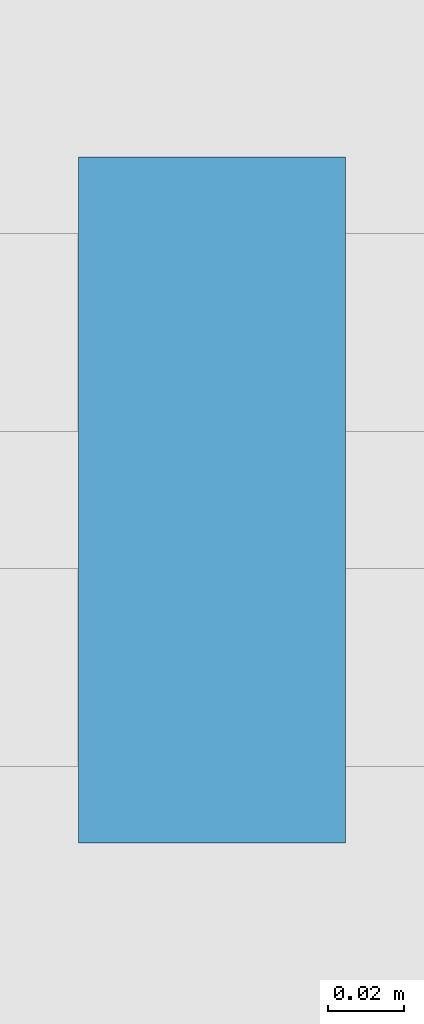
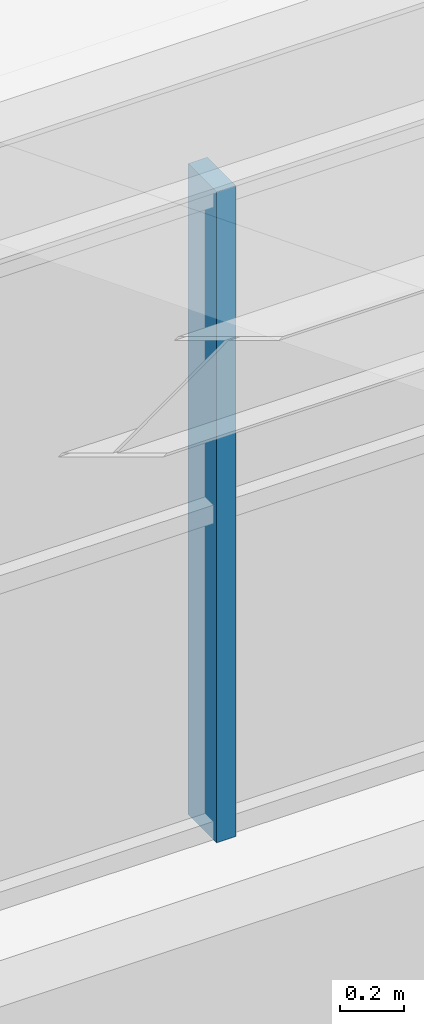
# One storey, part 27 of 92: 1 member, 1 element without a shape of its own.
"""IFC4 building model written with IfcOpenShell, lengths in metres."""

import ifcopenshell
import ifcopenshell.guid

model = None  # the IFC model being written
_history = None  # IfcOwnerHistory: only IFC2X3 demands one
_inside = {}  # id of a spatial element -> (the spatial element, [elements in it])
_under = {}  # id of a project, library or spatial element -> (it, [spatial elements below it])
_declared = {}  # id of a project -> (the project, [libraries it declares])
_typed = {}  # id of a type object -> (the type object, [elements of that type])
_made_of = {}  # id of a material, layer set ... -> (it, [elements and type objects made of it])


def new_model(schema):
    """Start an empty IFC model of exactly this schema.

    Asked for "IFC4X3", IfcOpenShell would pick the latest addendum, in which some entities
    have other attributes; the version numbers below select the first issue.
    IFC2X3 requires an IfcOwnerHistory on every rooted entity: one is made here for all.
    """
    global model, _history
    if schema == "IFC4X3":
        model = ifcopenshell.file(schema_version=(4, 3, 0, 0))
    else:
        model = ifcopenshell.file(schema=schema)
    _inside.clear()
    _under.clear()
    _declared.clear()
    _typed.clear()
    _made_of.clear()
    _history = None
    if model.schema == "IFC2X3":
        org = make("IfcOrganization", Name="unknown")
        user = make(
            "IfcPersonAndOrganization",
            ThePerson=make("IfcPerson", FamilyName="unknown"),
            TheOrganization=org,
        )
        app = make(
            "IfcApplication",
            ApplicationDeveloper=org,
            Version="unknown",
            ApplicationFullName="unknown",
            ApplicationIdentifier="unknown",
        )
        _history = make(
            "IfcOwnerHistory",
            OwningUser=user,
            OwningApplication=app,
            ChangeAction="ADDED",
            CreationDate=0,
        )
    return model


def make(cls, **values):
    """One entity of the class cls with the attributes given. An attribute that is None is left unset."""
    return model.create_entity(
        cls, **{name: value for name, value in values.items() if value is not None}
    )


def rooted(cls, **values):
    """An entity with a GlobalId (a new one), such as an element, a storey or a relation."""
    return make(cls, GlobalId=ifcopenshell.guid.new(), OwnerHistory=_history, **values)


def si_unit(unit_type, name, prefix=None):
    """IfcSIUnit, for example si_unit("LENGTHUNIT", "METRE", prefix="MILLI")."""
    return make("IfcSIUnit", UnitType=unit_type, Prefix=prefix, Name=name)


def assignment(units):
    """IfcUnitAssignment: the units of a project."""
    return None if units is None else make("IfcUnitAssignment", Units=units)


def point(xyz):
    """IfcCartesianPoint."""
    return None if xyz is None else make("IfcCartesianPoint", Coordinates=xyz)


def direction(xyz):
    """IfcDirection."""
    return None if xyz is None else make("IfcDirection", DirectionRatios=xyz)


def frame(location, z_axis=None, x_axis=None):
    """IfcAxis2Placement3D, a coordinate frame: its origin and axes. An axis left out is left unset."""
    return make(
        "IfcAxis2Placement3D",
        Location=point(location),
        Axis=direction(z_axis),
        RefDirection=direction(x_axis),
    )


def frame_2d(location, x_axis=None):
    """IfcAxis2Placement2D, a coordinate frame in the plane: its origin and x axis."""
    return make(
        "IfcAxis2Placement2D", Location=point(location), RefDirection=direction(x_axis)
    )


def origin():
    """The frame at (0, 0, 0) with its axes left unset."""
    return frame((0.0, 0.0, 0.0))


def origin_2d():
    """The frame at (0, 0) in the plane with its x axis left unset."""
    return frame_2d((0.0, 0.0))


def place(relative_to, where):
    """IfcLocalPlacement: puts the frame where relative to a parent placement (None: the world)."""
    return make(
        "IfcLocalPlacement", PlacementRelTo=relative_to, RelativePlacement=where
    )


def context(
    kind, dimensions, precision=None, world=None, true_north=None, identifier=None
):
    """IfcGeometricRepresentationContext, for example the 3D "Model" context."""
    return make(
        "IfcGeometricRepresentationContext",
        ContextIdentifier=identifier,
        ContextType=kind,
        CoordinateSpaceDimension=dimensions,
        Precision=precision,
        WorldCoordinateSystem=world,
        TrueNorth=true_north,
    )


def subcontext(parent, identifier, kind, view, scale=None):
    """IfcGeometricRepresentationSubContext, for example "Body" below "Model"."""
    return make(
        "IfcGeometricRepresentationSubContext",
        ContextIdentifier=identifier,
        ContextType=kind,
        ParentContext=parent,
        TargetScale=scale,
        TargetView=view,
    )


def project(units=None, contexts=None):
    """IfcProject with its units and contexts."""
    return rooted(
        "IfcProject",
        Name="project",
        RepresentationContexts=contexts,
        UnitsInContext=assignment(units),
    )


def spatial(cls, under=None, at=None, **own):
    """A site, building, storey or space (cls), placed at a placement, below another one or the project."""
    s = rooted(cls, ObjectPlacement=at, **own)
    if under is not None:
        _under.setdefault(under.id(), (under, []))[1].append(s)
    return s


def profile(cls, at=None, kind="AREA", **sizes):
    """A parametric profile (cls). Its sizes go by their IFC names, for example OverallWidth=200.0."""
    return make(cls, ProfileType=kind, Position=at, **sizes)


def rectangle(**sizes):
    """IfcRectangleProfileDef."""
    return profile("IfcRectangleProfileDef", **sizes)


def extrude(swept, where, along, depth):
    """IfcExtrudedAreaSolid: the profile swept, set in the frame where, extruded along a direction by depth."""
    return make(
        "IfcExtrudedAreaSolid",
        SweptArea=swept,
        Position=where,
        ExtrudedDirection=direction(along),
        Depth=depth,
    )


def shape(context_of_items, identifier, shape_type, items):
    """IfcShapeRepresentation: the items that make up one representation, for example the "Body"."""
    return make(
        "IfcShapeRepresentation",
        ContextOfItems=context_of_items,
        RepresentationIdentifier=identifier,
        RepresentationType=shape_type,
        Items=items,
    )


def material(Name=None, Category=None):
    """IfcMaterial."""
    return make("IfcMaterial", Name=Name, Category=Category)


def material_profile(
    of_material, cross_section, Name=None, Category=None, Priority=None
):
    """IfcMaterialProfile: a cross section and its material."""
    return make(
        "IfcMaterialProfile",
        Name=Name,
        Material=of_material,
        Profile=cross_section,
        Priority=Priority,
        Category=Category,
    )


def profile_set(profiles, Name=None, composite=None):
    """IfcMaterialProfileSet."""
    return make(
        "IfcMaterialProfileSet",
        Name=Name,
        MaterialProfiles=profiles,
        CompositeProfile=composite,
    )


def made_of(thing, what):
    """Note that an element or type object is made of a material, layer set ...; save() writes the relation."""
    if what is not None:
        _made_of.setdefault(what.id(), (what, []))[1].append(thing)
    return thing


def type_object(cls, material=None, **own):
    """A type object (cls), such as IfcWallType, which elements share."""
    return made_of(rooted(cls, **own), material)


def element(
    cls,
    number,
    at=None,
    inside=None,
    cuts=None,
    type_object=None,
    material=None,
    context=None,
    identifier="Body",
    shape_type=None,
    held_by="IfcProductDefinitionShape",
    body=None,
    shapes=None,
    **own,
):
    """One element of the class cls, such as IfcWall. Its Tag is "e" and its number.

    at: its placement. inside: the storey or other place that contains it. cuts: it is an
    opening in that element (IfcRelVoidsElement). A single representation is given by context,
    identifier, shape_type and body (its items); several are given by shapes. held_by: the class
    of the entity that holds the representations. save() writes the other relations.
    """
    e = rooted(cls, Tag="e%d" % number, ObjectPlacement=at, **own)
    if body is not None:
        shapes = [shape(context, identifier, shape_type, body)]
    if shapes is not None:
        e.Representation = make(held_by, Representations=shapes)
    if inside is not None:
        _inside.setdefault(inside.id(), (inside, []))[1].append(e)
    if cuts is not None:
        rooted(
            "IfcRelVoidsElement", RelatingBuildingElement=cuts, RelatedOpeningElement=e
        )
    if type_object is not None:
        _typed.setdefault(type_object.id(), (type_object, []))[1].append(e)
    return made_of(e, material)


def aggregate(whole, parts):
    """IfcRelAggregates: a whole, such as a stair, and the parts it consists of."""
    return rooted("IfcRelAggregates", RelatingObject=whole, RelatedObjects=parts)


def save(model, path):
    """Write the relations noted so far, then the file.

    IfcRelAggregates (storeys below a building ...), IfcRelContainedInSpatialStructure (elements
    in a storey), IfcRelDefinesByType, IfcRelAssociatesMaterial and IfcRelDeclares: one each for
    every whole, place, type object, material and project.
    """
    for whole, parts in _under.values():
        aggregate(whole, parts)
    for where, things in _inside.values():
        rooted(
            "IfcRelContainedInSpatialStructure",
            RelatedElements=things,
            RelatingStructure=where,
        )
    for kind, things in _typed.values():
        rooted("IfcRelDefinesByType", RelatedObjects=things, RelatingType=kind)
    for what, things in _made_of.values():
        rooted("IfcRelAssociatesMaterial", RelatedObjects=things, RelatingMaterial=what)
    for by, libraries in _declared.values():
        rooted("IfcRelDeclares", RelatingContext=by, RelatedDefinitions=libraries)
    model.write(path)


model = new_model("IFC4")

# Units and contexts
model_context = context("Model", 3, precision=1e-05, world=origin(), true_north=direction((0.0, 1.0)))
body_context = subcontext(model_context, "Body", "Model", "MODEL_VIEW")
ifc_project = project(units=[si_unit("LENGTHUNIT", "METRE"), si_unit("AREAUNIT", "SQUARE_METRE"), si_unit("VOLUMEUNIT", "CUBIC_METRE"), si_unit("PLANEANGLEUNIT", "RADIAN"), si_unit("MASSUNIT", "GRAM", prefix="KILO")], contexts=[model_context])

# Site, building, storey
site_placement = place(None, origin())
site = spatial("IfcSite", under=ifc_project, at=site_placement, CompositionType="ELEMENT")
building_placement = place(site_placement, origin())
building = spatial("IfcBuilding", under=site, at=building_placement, Name="Ciguamira Faculty of Natural Sciences", CompositionType="ELEMENT")
storey_placement = place(building_placement, frame((0.0, 0.0, 16.800048828125)))
storey = spatial("IfcBuildingStorey", under=building, at=storey_placement, Name="L04", CompositionType="ELEMENT", Elevation=16.800048828125)

# Curtain wall, member
ifc_material_1 = material(Name="Anodized aluminium curtain wall", Category="aluminium")
curtain_wall_type = type_object("IfcCurtainWallType", Name="CurtainWall_CW-03", PredefinedType="USERDEFINED", material=ifc_material_1)
curtain_wall_placement = place(storey_placement, origin())
curtain_wall = element("IfcCurtainWall", 1, at=curtain_wall_placement, inside=storey, type_object=curtain_wall_type, Name="V4 north-light wave 2 clerestory glazing 1", ObjectType="UNITISED CURTAIN WALL", PredefinedType="USERDEFINED")
ifc_material_2 = material(Name="Anodized aluminium mullion", Category="aluminium")
ifc_material_profile = material_profile(ifc_material_2, rectangle(XDim=0.070068359375, YDim=0.179931640625, at=origin_2d()), Name="ALU-MUL-70X180")
ifc_profile_set = profile_set([ifc_material_profile], Name="Anodized aluminium mullion")
member_type = type_object("IfcMemberType", Name="CWMullion_CWM-02", PredefinedType="MULLION", material=ifc_profile_set)
member_placement = place(storey_placement, frame((88.08154296875, 52.0, 0.25), z_axis=(0.0, 0.0, 1.0), x_axis=(1.0, 0.0, 0.0)))
member = element("IfcMember", 2, at=member_placement, type_object=member_type, Name="CW-03 mullion 15", PredefinedType="MULLION", context=body_context, shape_type="SweptSolid", body=[
    extrude(rectangle(XDim=0.070068359375, YDim=0.179931640625, at=origin_2d()), origin(), (0.0, 0.0, 1.0), 2.5),
])
aggregate(curtain_wall, [member])

save(model, "model.ifc")
